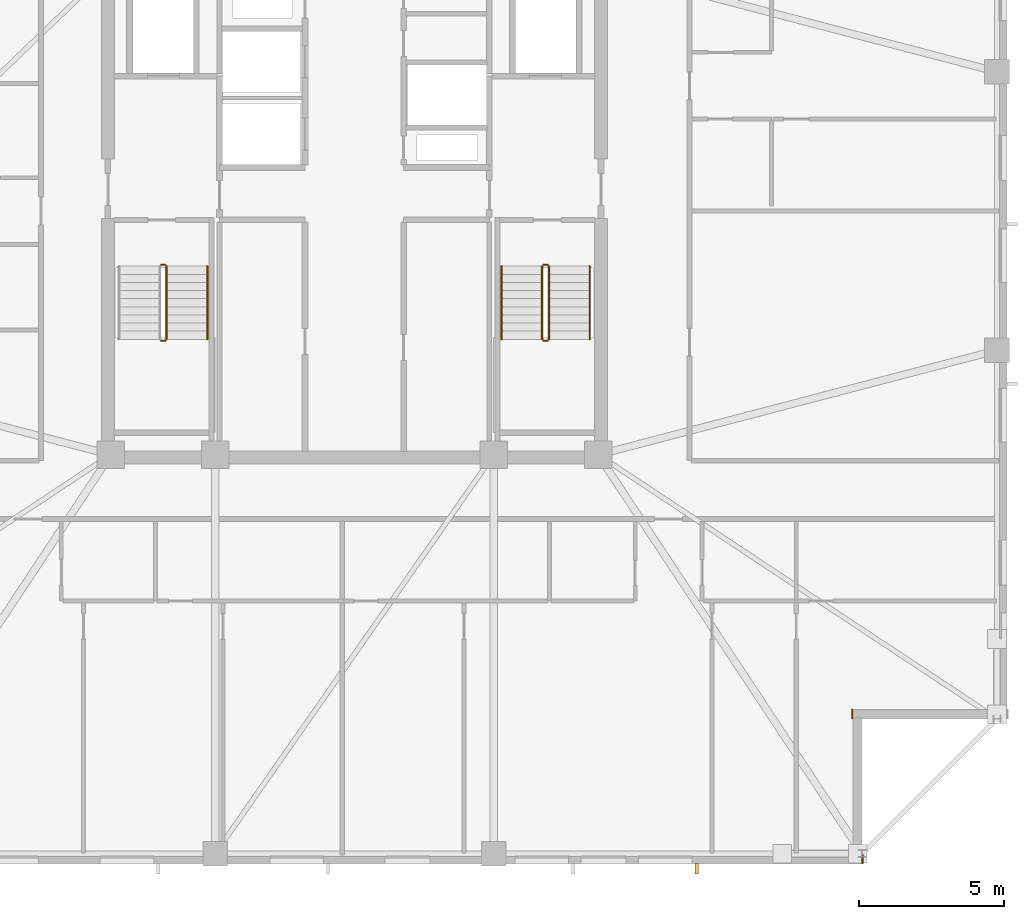
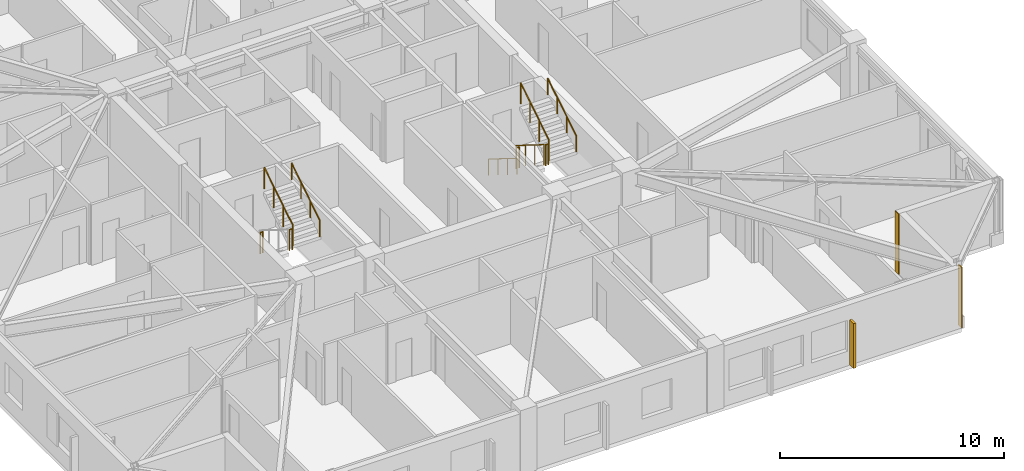
# One storey, part 14 of 17: 10 railings, 2 coverings, 1 shading device.
"""IFC4 building model written with IfcOpenShell, lengths in metres."""

from ifc_helpers import new_model, si_unit, direction, frame, frame_2d, origin, origin_2d, place, context, subcontext, project, spatial, rectangle, circle, extrude, material, layer, layer_set, type_object, element, save


model = new_model("IFC4")

# Units and contexts
model_context = context("Model", 3, precision=1e-05, world=origin(), true_north=direction((0.0, 1.0)))
body_context = subcontext(model_context, "Body", "Model", "MODEL_VIEW")
ifc_project = project(units=[si_unit("LENGTHUNIT", "METRE"), si_unit("AREAUNIT", "SQUARE_METRE"), si_unit("VOLUMEUNIT", "CUBIC_METRE"), si_unit("PLANEANGLEUNIT", "RADIAN"), si_unit("MASSUNIT", "GRAM", prefix="KILO")], contexts=[model_context])

# Site, building, storey
site_placement = place(None, origin())
site = spatial("IfcSite", under=ifc_project, at=site_placement, CompositionType="ELEMENT")
building_placement = place(site_placement, origin())
building = spatial("IfcBuilding", under=site, at=building_placement, Name="Cairnveth Concourse Tower", CompositionType="ELEMENT")
storey_placement = place(building_placement, frame((0.0, 0.0, 223.5)))
storey = spatial("IfcBuildingStorey", under=building, at=storey_placement, Name="L61", CompositionType="ELEMENT", Elevation=223.5)

# Coverings
ifc_material_1 = material(Name="Dressed Melbourne Bluestone Cladding", Category="masonry")
ifc_layer = layer(ifc_material_1, 0.050048828125)
ifc_layer_set = layer_set([ifc_layer], Name="Dressed Melbourne Bluestone Cladding")
covering_type = type_object("IfcCoveringType", Name="DRESSED BLUESTONE PLINTH CLADDING 50", PredefinedType="CLADDING", material=ifc_layer_set)
for number, where, z_axis, x_axis, name in (
    (1, (69.159912109375, 21.820068359375, 0.0), (0.0, 0.0, 1.0), (0.0, -1.0, 0.0), "Melbourne Bluestone Corner Quoin L61-916"),
    (2, (69.52001953125, 16.820068359375, 0.0), (0.0, 0.0, 1.0), (0.0, -1.0, 0.0), "Melbourne Bluestone Corner Quoin L61-917"),
):
    element("IfcCovering", number, at=place(storey_placement, frame(where, z_axis=z_axis, x_axis=x_axis)), inside=storey, type_object=covering_type, Name=name, PredefinedType="CLADDING", context=body_context, shape_type="SweptSolid", body=[
        extrude(rectangle(XDim=0.320068359375, YDim=0.050048828125, at=frame_2d((0.16015625, 0.0))), origin(), (0.0, 0.0, 1.0), 3.2900390625),
    ])

# Shading device
ifc_material_2 = material(Name="Architectural Bronze Anodised Aluminium 6063-T6", Category="aluminium")
shading_device_type = type_object("IfcShadingDeviceType", Name="GOTHIC BRONZE VERTICAL LANCET FIN", PredefinedType="USERDEFINED", material=ifc_material_2)
shading_device_placement = place(storey_placement, frame((63.79736328125, 16.324951171875, 0.030029296875), z_axis=(0.0, 0.0, 1.0), x_axis=(1.0, 0.0, 0.0)))
element("IfcShadingDevice", 3, at=shading_device_placement, inside=storey, type_object=shading_device_type, Name="Gothic Bronze Vertical Fin L61-6-1", ObjectType="VERTICAL FIN", PredefinedType="USERDEFINED", context=body_context, shape_type="SweptSolid", body=[
    extrude(rectangle(XDim=0.1201171875, YDim=0.360107421875, at=origin_2d()), origin(), (0.0, 0.0, 1.0), 2.43798828125),
])

# Railings
ifc_material_3 = material(Name="Steel Grade 350", Category="steel")
railing_type_1 = type_object("IfcRailingType", Name="STAIR GUARDRAIL 1150", PredefinedType="GUARDRAIL", material=ifc_material_3)
railing_1_placement = place(storey_placement, frame((45.340087890625, 34.530029296875, 1.75)))
element("IfcRailing", 4, at=railing_1_placement, inside=storey, type_object=railing_type_1, Name="L61 ST-1 stair guard 2", PredefinedType="GUARDRAIL", context=body_context, shape_type="SweptSolid", body=[
    extrude(circle(Radius=0.02392578125, at=origin_2d()), frame((0.0, 0.0, 1.1259765625), z_axis=(1.0, 0.0, 0.0), x_axis=(0.0, 1.0, 0.0)), (0.0, 0.0, 1.0), 0.139892578125),
    extrude(circle(Radius=0.02099609375, at=origin_2d()), origin(), (0.0, 0.0, 1.0), 1.101806640625),
    extrude(circle(Radius=0.02099609375, at=origin_2d()), frame((0.139892578125, 0.0, 0.0)), (0.0, 0.0, 1.0), 1.101806640625),
])
railing_2_placement = place(storey_placement, frame((45.530029296875, 34.580078125, 1.925048828125)))
element("IfcRailing", 5, at=railing_2_placement, inside=storey, type_object=railing_type_1, Name="L61 ST-1 stair guard 3", PredefinedType="GUARDRAIL", context=body_context, shape_type="SweptSolid", body=[
    extrude(circle(Radius=0.02392578125, at=origin_2d()), frame((0.0, 0.0, 1.1259765625), z_axis=(0.0, 0.848007534815, 0.529984170421), x_axis=(-1.0, 0.0, 0.0)), (0.0, 0.0, 1.0), 2.9716796875),
    extrude(circle(Radius=0.02099609375, at=origin_2d()), origin(), (0.0, 0.0, 1.0), 1.101806640625),
    extrude(circle(Radius=0.02099609375, at=origin_2d()), frame((0.0, 0.840087890625, 0.52490234375)), (0.0, 0.0, 1.0), 1.101806640625),
    extrude(circle(Radius=0.02099609375, at=origin_2d()), frame((0.0, 1.679931640625, 1.050048828125)), (0.0, 0.0, 1.0), 1.101806640625),
    extrude(circle(Radius=0.02099609375, at=origin_2d()), frame((0.0, 2.52001953125, 1.574951171875)), (0.0, 0.0, 1.0), 1.101806640625),
])
railing_3_placement = place(storey_placement, frame((45.340087890625, 37.14990234375, 0.0)))
element("IfcRailing", 6, at=railing_3_placement, inside=storey, type_object=railing_type_1, Name="L61 ST-1 stair guard 4", PredefinedType="GUARDRAIL", context=body_context, shape_type="SweptSolid", body=[
    extrude(circle(Radius=0.02392578125, at=origin_2d()), frame((0.0, 0.0, 1.1259765625), z_axis=(1.0, 0.0, 0.0), x_axis=(0.0, 1.0, 0.0)), (0.0, 0.0, 1.0), 0.139892578125),
    extrude(circle(Radius=0.02099609375, at=origin_2d()), origin(), (0.0, 0.0, 1.0), 1.101806640625),
    extrude(circle(Radius=0.02099609375, at=origin_2d()), frame((0.139892578125, 0.0, 0.0)), (0.0, 0.0, 1.0), 1.101806640625),
])
railing_4_placement = place(storey_placement, frame((58.469970703125, 37.10009765625, 0.175048828125)))
element("IfcRailing", 7, at=railing_4_placement, inside=storey, type_object=railing_type_1, Name="L61 ST-2 stair guard 1", PredefinedType="GUARDRAIL", context=body_context, shape_type="SweptSolid", body=[
    extrude(circle(Radius=0.02392578125, at=origin_2d()), frame((0.0, 0.0, 1.1259765625), z_axis=(0.0, -0.848007534815, 0.529984170421), x_axis=(1.0, 0.0, 0.0)), (0.0, 0.0, 1.0), 2.9716796875),
    extrude(circle(Radius=0.02099609375, at=origin_2d()), origin(), (0.0, 0.0, 1.0), 1.101806640625),
    extrude(circle(Radius=0.02099609375, at=origin_2d()), frame((0.0, -0.840087890625, 0.52490234375)), (0.0, 0.0, 1.0), 1.101806640625),
    extrude(circle(Radius=0.02099609375, at=origin_2d()), frame((0.0, -1.679931640625, 1.050048828125)), (0.0, 0.0, 1.0), 1.101806640625),
    extrude(circle(Radius=0.02099609375, at=origin_2d()), frame((0.0, -2.52001953125, 1.574951171875)), (0.0, 0.0, 1.0), 1.101806640625),
])
railing_5_placement = place(storey_placement, frame((58.52001953125, 34.530029296875, 1.75)))
element("IfcRailing", 8, at=railing_5_placement, inside=storey, type_object=railing_type_1, Name="L61 ST-2 stair guard 2", PredefinedType="GUARDRAIL", context=body_context, shape_type="SweptSolid", body=[
    extrude(circle(Radius=0.02392578125, at=origin_2d()), frame((0.0, 0.0, 1.1259765625), z_axis=(1.0, 0.0, 0.0), x_axis=(0.0, 1.0, 0.0)), (0.0, 0.0, 1.0), 0.139892578125),
    extrude(circle(Radius=0.02099609375, at=origin_2d()), origin(), (0.0, 0.0, 1.0), 1.101806640625),
    extrude(circle(Radius=0.02099609375, at=origin_2d()), frame((0.139892578125, 0.0, 0.0)), (0.0, 0.0, 1.0), 1.101806640625),
])
railing_6_placement = place(storey_placement, frame((58.7099609375, 34.580078125, 1.925048828125)))
element("IfcRailing", 9, at=railing_6_placement, inside=storey, type_object=railing_type_1, Name="L61 ST-2 stair guard 3", PredefinedType="GUARDRAIL", context=body_context, shape_type="SweptSolid", body=[
    extrude(circle(Radius=0.02392578125, at=origin_2d()), frame((0.0, 0.0, 1.1259765625), z_axis=(0.0, 0.848007534815, 0.529984170421), x_axis=(-1.0, 0.0, 0.0)), (0.0, 0.0, 1.0), 2.9716796875),
    extrude(circle(Radius=0.02099609375, at=origin_2d()), origin(), (0.0, 0.0, 1.0), 1.101806640625),
    extrude(circle(Radius=0.02099609375, at=origin_2d()), frame((0.0, 0.840087890625, 0.52490234375)), (0.0, 0.0, 1.0), 1.101806640625),
    extrude(circle(Radius=0.02099609375, at=origin_2d()), frame((0.0, 1.679931640625, 1.050048828125)), (0.0, 0.0, 1.0), 1.101806640625),
    extrude(circle(Radius=0.02099609375, at=origin_2d()), frame((0.0, 2.52001953125, 1.574951171875)), (0.0, 0.0, 1.0), 1.101806640625),
])
railing_7_placement = place(storey_placement, frame((58.52001953125, 37.14990234375, 0.0)))
element("IfcRailing", 10, at=railing_7_placement, inside=storey, type_object=railing_type_1, Name="L61 ST-2 stair guard 4", PredefinedType="GUARDRAIL", context=body_context, shape_type="SweptSolid", body=[
    extrude(circle(Radius=0.02392578125, at=origin_2d()), frame((0.0, 0.0, 1.1259765625), z_axis=(1.0, 0.0, 0.0), x_axis=(0.0, 1.0, 0.0)), (0.0, 0.0, 1.0), 0.139892578125),
    extrude(circle(Radius=0.02099609375, at=origin_2d()), origin(), (0.0, 0.0, 1.0), 1.101806640625),
    extrude(circle(Radius=0.02099609375, at=origin_2d()), frame((0.139892578125, 0.0, 0.0)), (0.0, 0.0, 1.0), 1.101806640625),
])
railing_type_2 = type_object("IfcRailingType", Name="STAIR WALL HANDRAIL 900", PredefinedType="HANDRAIL", material=ifc_material_3)
railing_8_placement = place(storey_placement, frame((46.929931640625, 34.580078125, 1.925048828125)))
element("IfcRailing", 11, at=railing_8_placement, inside=storey, type_object=railing_type_2, Name="L61 ST-1 stair handrail 2", PredefinedType="HANDRAIL", context=body_context, shape_type="SweptSolid", body=[
    extrude(circle(Radius=0.02392578125, at=origin_2d()), frame((0.0, 0.0, 0.8759765625), z_axis=(0.0, 0.848007534815, 0.529984170421), x_axis=(-1.0, 0.0, 0.0)), (0.0, 0.0, 1.0), 2.9716796875),
    extrude(circle(Radius=0.02099609375, at=origin_2d()), origin(), (0.0, 0.0, 1.0), 0.851806640625),
    extrude(circle(Radius=0.02099609375, at=origin_2d()), frame((0.0, 0.840087890625, 0.52490234375)), (0.0, 0.0, 1.0), 0.851806640625),
    extrude(circle(Radius=0.02099609375, at=origin_2d()), frame((0.0, 1.679931640625, 1.050048828125)), (0.0, 0.0, 1.0), 0.851806640625),
    extrude(circle(Radius=0.02099609375, at=origin_2d()), frame((0.0, 2.52001953125, 1.574951171875)), (0.0, 0.0, 1.0), 0.851806640625),
])
railing_9_placement = place(storey_placement, frame((57.070068359375, 37.10009765625, 0.175048828125)))
element("IfcRailing", 12, at=railing_9_placement, inside=storey, type_object=railing_type_2, Name="L61 ST-2 stair handrail 1", PredefinedType="HANDRAIL", context=body_context, shape_type="SweptSolid", body=[
    extrude(circle(Radius=0.02392578125, at=origin_2d()), frame((0.0, 0.0, 0.8759765625), z_axis=(0.0, -0.848007534815, 0.529984170421), x_axis=(1.0, 0.0, 0.0)), (0.0, 0.0, 1.0), 2.9716796875),
    extrude(circle(Radius=0.02099609375, at=origin_2d()), origin(), (0.0, 0.0, 1.0), 0.851806640625),
    extrude(circle(Radius=0.02099609375, at=origin_2d()), frame((0.0, -0.840087890625, 0.52490234375)), (0.0, 0.0, 1.0), 0.851806640625),
    extrude(circle(Radius=0.02099609375, at=origin_2d()), frame((0.0, -1.679931640625, 1.050048828125)), (0.0, 0.0, 1.0), 0.851806640625),
    extrude(circle(Radius=0.02099609375, at=origin_2d()), frame((0.0, -2.52001953125, 1.574951171875)), (0.0, 0.0, 1.0), 0.851806640625),
])
railing_10_placement = place(storey_placement, frame((60.110107421875, 34.580078125, 1.925048828125)))
element("IfcRailing", 13, at=railing_10_placement, inside=storey, type_object=railing_type_2, Name="L61 ST-2 stair handrail 2", PredefinedType="HANDRAIL", context=body_context, shape_type="SweptSolid", body=[
    extrude(circle(Radius=0.02392578125, at=origin_2d()), frame((0.0, 0.0, 0.8759765625), z_axis=(0.0, 0.848007534815, 0.529984170421), x_axis=(-1.0, 0.0, 0.0)), (0.0, 0.0, 1.0), 2.9716796875),
    extrude(circle(Radius=0.02099609375, at=origin_2d()), origin(), (0.0, 0.0, 1.0), 0.851806640625),
    extrude(circle(Radius=0.02099609375, at=origin_2d()), frame((0.0, 0.840087890625, 0.52490234375)), (0.0, 0.0, 1.0), 0.851806640625),
    extrude(circle(Radius=0.02099609375, at=origin_2d()), frame((0.0, 1.679931640625, 1.050048828125)), (0.0, 0.0, 1.0), 0.851806640625),
    extrude(circle(Radius=0.02099609375, at=origin_2d()), frame((0.0, 2.52001953125, 1.574951171875)), (0.0, 0.0, 1.0), 0.851806640625),
])

save(model, "model.ifc")
